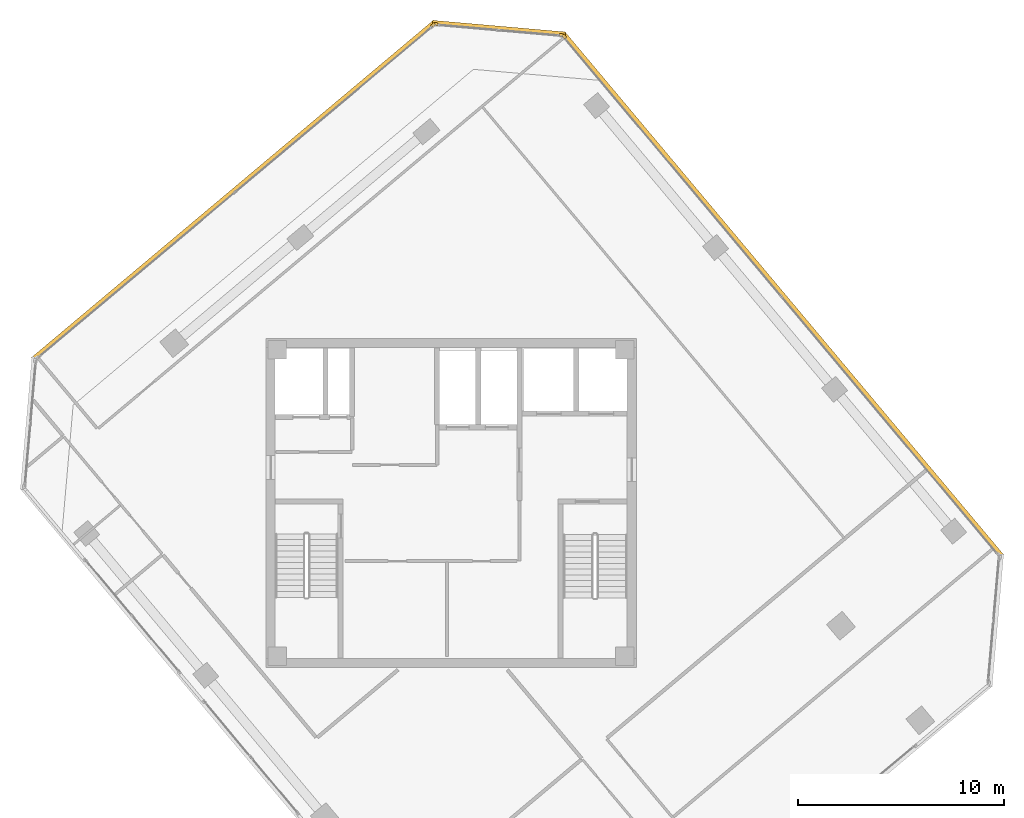
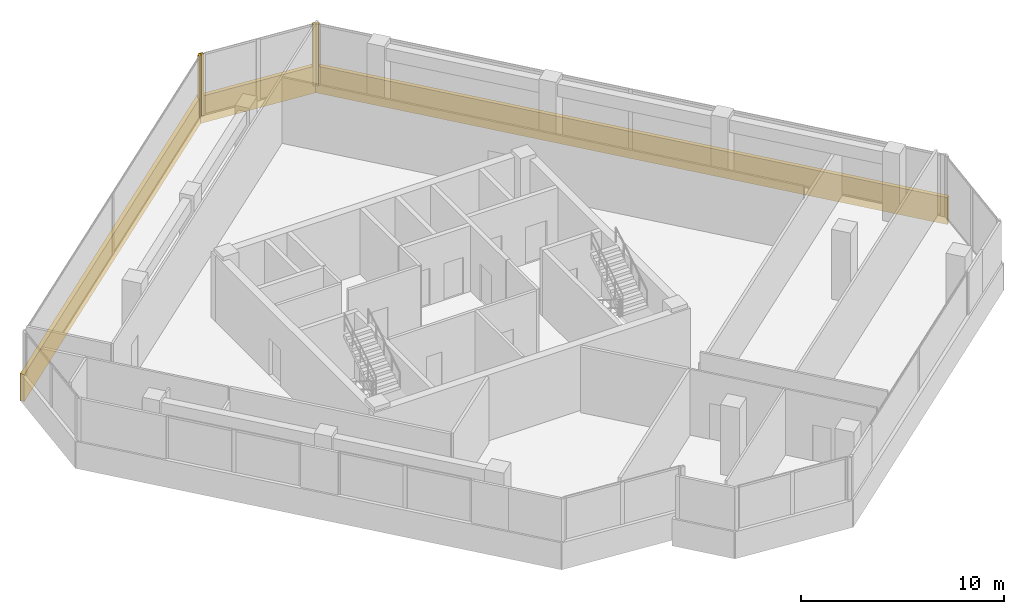
# One storey, part 17 of 17: 7 coverings.
"""IFC4 building model written with IfcOpenShell, lengths in metres."""

from ifc_helpers import new_model, si_unit, direction, frame, origin, origin_2d, place, context, subcontext, project, spatial, rectangle, extrude, source, transform, mapped, material, layer, layer_set, type_object, element, save


model = new_model("IFC4")

# Units and contexts
model_context = context("Model", 3, precision=1e-05, world=origin(), true_north=direction((0.0, 1.0)))
body_context = subcontext(model_context, "Body", "Model", "MODEL_VIEW")
ifc_project = project(units=[si_unit("LENGTHUNIT", "METRE"), si_unit("AREAUNIT", "SQUARE_METRE"), si_unit("VOLUMEUNIT", "CUBIC_METRE"), si_unit("PLANEANGLEUNIT", "RADIAN"), si_unit("MASSUNIT", "GRAM", prefix="KILO")], contexts=[model_context])

# Site, building, storey
site_placement = place(None, origin())
site = spatial("IfcSite", under=ifc_project, at=site_placement, CompositionType="ELEMENT")
building_placement = place(site_placement, origin())
building = spatial("IfcBuilding", under=site, at=building_placement, Name="Torre Montelarca", CompositionType="ELEMENT")
storey_placement = place(building_placement, frame((0.0, 0.0, 271.0)))
storey = spatial("IfcBuildingStorey", under=building, at=storey_placement, Name="L61", CompositionType="ELEMENT", Elevation=271.0)

# Coverings
ifc_material = material(Name="Bush-hammered warm white precast concrete C45/55", Category="concrete")
ifc_layer = layer(ifc_material, 0.139892578125, Name="Bush-hammered warm white precast concrete C45/55", Category="concrete")
ifc_layer_set = layer_set([ifc_layer], Name="Bush-hammered warm white precast concrete C45/55")
covering_type = type_object("IfcCoveringType", Name="COV-TRAY-CLAD", PredefinedType="CLADDING", material=ifc_layer_set)
shared_shape_1 = source(origin(), body_context, "Body", "SweptSolid", [
    extrude(rectangle(XDim=6.48388671875, YDim=0.219970703125, at=origin_2d()), origin(), (0.0, 0.0, 1.0), 1.6201171875),
])
covering_1_placement = place(storey_placement, frame((20.32421875, 55.070556640625, -0.449951171875), z_axis=(0.0, 0.0, 1.0), x_axis=(-0.996195458631, 0.087147049306, 0.0)))
element("IfcCovering", 1, at=covering_1_placement, inside=storey, type_object=covering_type, Name="L61 Architectural White Spandrel Tray Band TRYBOT-09", PredefinedType="CLADDING", context=body_context, shape_type="MappedRepresentation", body=[
    mapped(shared_shape_1, transform((0.0, 0.0, 0.0), scale=1.0)),
])
shared_shape_2 = source(origin(), body_context, "Body", "SweptSolid", [
    extrude(rectangle(XDim=25.52001953125, YDim=0.219970703125, at=origin_2d()), origin(), (0.0, 0.0, 1.0), 1.6201171875),
])
covering_2_placement = place(storey_placement, frame((7.447509765625, 47.19140625, -0.449951171875), z_axis=(0.0, 0.0, 1.0), x_axis=(-0.766044443119, -0.642787609687, 0.0)))
element("IfcCovering", 2, at=covering_2_placement, inside=storey, type_object=covering_type, Name="L61 Architectural White Spandrel Tray Band TRYBOT-10", PredefinedType="CLADDING", context=body_context, shape_type="MappedRepresentation", body=[
    mapped(shared_shape_2, transform((0.0, 0.0, 0.0), scale=1.0)),
])
shared_shape_3 = source(origin(), body_context, "Body", "SweptSolid", [
    extrude(rectangle(XDim=0.199951171875, YDim=0.139892578125, at=origin_2d()), origin(), (0.0, 0.0, 1.0), 3.719970703125),
])
for number, where, z_axis, x_axis, name in (
    (3, (23.502197265625, 54.676513671875, 0.0), (0.0, 0.0, 1.0), (-0.642787609687, 0.766044443119, 0.0), "L61 Architectural Column Pier Cladding E08-2"),
    (4, (23.37353515625, 54.743408203125, 0.0), (0.0, 0.0, 1.0), (-0.996194393855, 0.087159220123, 0.0), "L61 Architectural Column Pier Cladding E09-1"),
    (5, (17.2646484375, 55.278076171875, 0.0), (0.0, 0.0, 1.0), (-0.996194393855, 0.087159220123, 0.0), "L61 Architectural Column Pier Cladding E09-2"),
    (6, (17.126220703125, 55.234375, 0.0), (0.0, 0.0, 1.0), (-0.766043321242, -0.642788946685, 0.0), "L61 Architectural Column Pier Cladding E10-1"),
):
    element("IfcCovering", number, at=place(storey_placement, frame(where, z_axis=z_axis, x_axis=x_axis)), inside=storey, type_object=covering_type, Name=name, PredefinedType="CLADDING", context=body_context, shape_type="MappedRepresentation", body=[
        mapped(shared_shape_3, transform((0.0, 0.0, 0.0), scale=1.0)),
    ])
shared_shape_4 = source(origin(), body_context, "Body", "SweptSolid", [
    extrude(rectangle(XDim=33.219970703125, YDim=0.219970703125, at=origin_2d()), origin(), (0.0, 0.0, 1.0), 1.6201171875),
])
covering_3_placement = place(storey_placement, frame((34.11181640625, 42.125732421875, -0.449951171875), z_axis=(0.0, 0.0, 1.0), x_axis=(-0.642786272686, 0.766045564994, 0.0)))
element("IfcCovering", 7, at=covering_3_placement, inside=storey, type_object=covering_type, Name="L61 Architectural White Spandrel Tray Band TRYBOT-08", PredefinedType="CLADDING", context=body_context, shape_type="MappedRepresentation", body=[
    mapped(shared_shape_4, transform((0.0, 0.0, 0.0), scale=1.0)),
])

save(model, "model.ifc")
